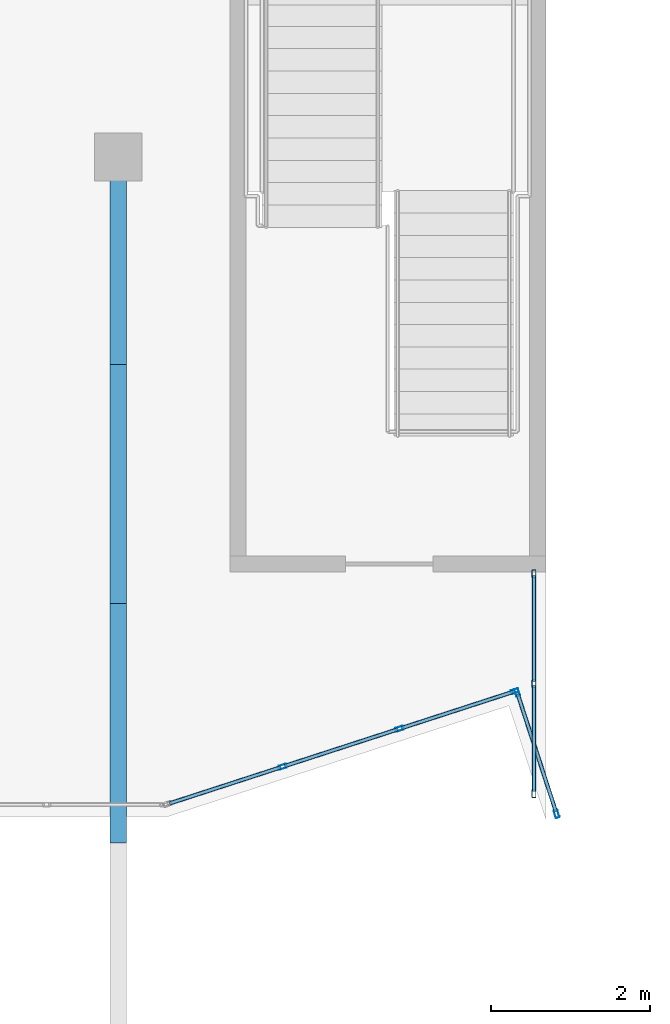
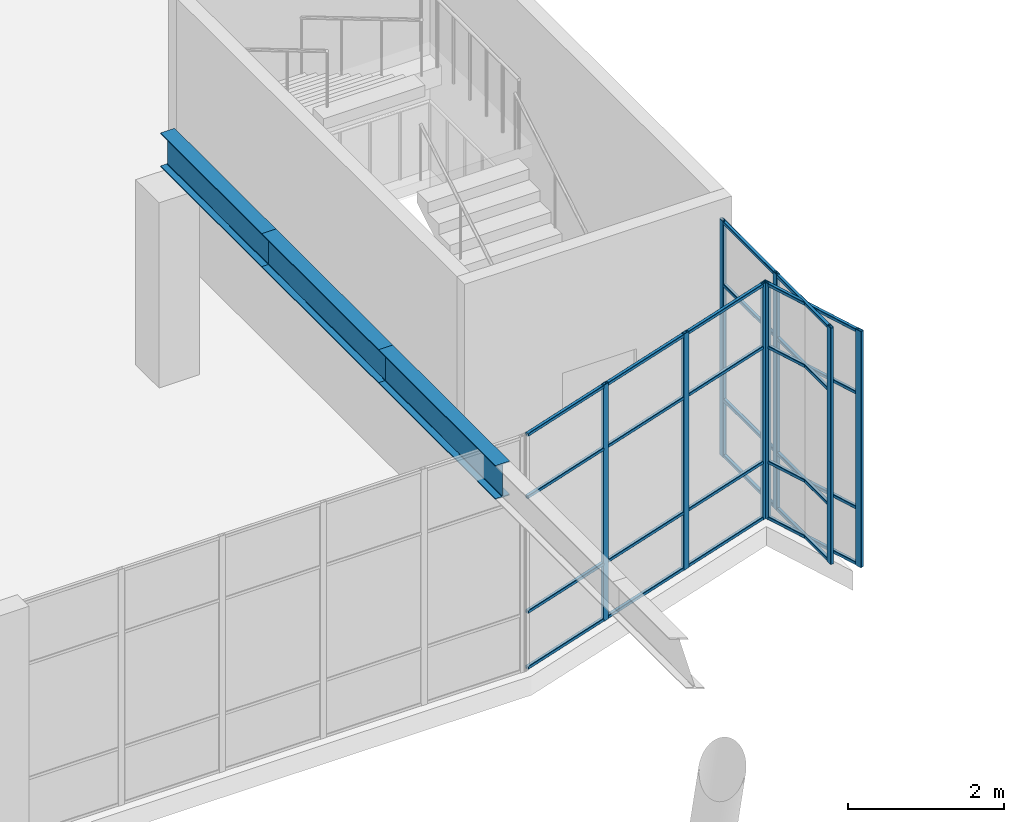
# One storey, part 9 of 65: 35 members, 3 elements without a shape of their own.
"""IFC4 building model written with IfcOpenShell, lengths in metres."""

from ifc_helpers import new_model, si_unit, direction, frame, origin, origin_2d, place, context, subcontext, project, spatial, hollow_rectangle, i_section, extrude, material, layer, layer_set, material_profile, profile_set, type_object, element, aggregate, save


model = new_model("IFC4")

# Units and contexts
model_context = context("Model", 3, precision=1e-05, world=origin(), true_north=direction((0.0, 1.0)))
body_context = subcontext(model_context, "Body", "Model", "MODEL_VIEW")
ifc_project = project(units=[si_unit("LENGTHUNIT", "METRE"), si_unit("AREAUNIT", "SQUARE_METRE"), si_unit("VOLUMEUNIT", "CUBIC_METRE"), si_unit("PLANEANGLEUNIT", "RADIAN"), si_unit("MASSUNIT", "GRAM", prefix="KILO")], contexts=[model_context])

# Site, building, storey
site_placement = place(None, origin())
site = spatial("IfcSite", under=ifc_project, at=site_placement, CompositionType="ELEMENT")
building_placement = place(site_placement, origin())
building = spatial("IfcBuilding", under=site, at=building_placement, Name="Tuart Plaza Theatre", CompositionType="ELEMENT")
storey_placement = place(building_placement, frame((0.0, 0.0, 9.5)))
storey = spatial("IfcBuildingStorey", under=building, at=storey_placement, Name="L02", CompositionType="ELEMENT", Elevation=9.5)

# Members
ifc_material_1 = material(Name="Steel Grade 300", Category="steel")
ifc_material_profile_1 = material_profile(ifc_material_1, i_section(OverallWidth=0.208984375, OverallDepth=0.532958984375, WebThickness=0.01025390625, FlangeThickness=0.015625, FilletRadius=0.013916015625, at=origin_2d()), Name="530UB92.4")
ifc_profile_set_1 = profile_set([ifc_material_profile_1], Name="Steel Grade 300")
member_type_1 = type_object("IfcMemberType", Name="BELT TRUSS Chord 530UB92.4", PredefinedType="CHORD", material=ifc_profile_set_1)
for number, where, z_axis, x_axis, name in (
    (1, (105.0, 41.0, 3.47998046875), (0.0, 1.0, 0.0), (-1.0, 0.0, 0.0), "CH57"),
    (2, (105.0, 44.0, 3.47998046875), (0.0, 1.0, 0.0), (-1.0, 0.0, 0.0), "CH58"),
):
    element("IfcMember", number, at=place(storey_placement, frame(where, z_axis=z_axis, x_axis=x_axis)), inside=storey, type_object=member_type_1, Name=name, PredefinedType="CHORD", context=body_context, shape_type="SweptSolid", body=[
        extrude(i_section(OverallWidth=0.208984375, OverallDepth=0.532958984375, WebThickness=0.01025390625, FlangeThickness=0.015625, FilletRadius=0.013916015625, at=origin_2d()), origin(), (0.0, 0.0, 1.0), 3.0),
    ])
member_1_placement = place(storey_placement, frame((105.0, 47.0, 3.47998046875), z_axis=(0.0, 1.0, 0.0), x_axis=(-1.0, 0.0, 0.0)))
element("IfcMember", 3, at=member_1_placement, inside=storey, type_object=member_type_1, Name="CH59", PredefinedType="CHORD", context=body_context, shape_type="SweptSolid", body=[
    extrude(i_section(OverallWidth=0.208984375, OverallDepth=0.532958984375, WebThickness=0.01025390625, FlangeThickness=0.015625, FilletRadius=0.013916015625, at=origin_2d()), origin(), (0.0, 0.0, 1.0), 2.60009765625),
])

# Curtain wall, members
ifc_material_2 = material(Name="Aluminium and glass", Category="aluminium")
ifc_layer = layer(ifc_material_2, 0.10009765625)
ifc_layer_set = layer_set([ifc_layer], Name="CURTAIN WALL 1500 module")
curtain_wall_type = type_object("IfcCurtainWallType", Name="CURTAIN WALL 1500 module", PredefinedType="NOTDEFINED", material=ifc_layer_set)
curtain_wall_1_placement = place(storey_placement, origin())
curtain_wall_1 = element("IfcCurtainWall", 4, at=curtain_wall_1_placement, inside=storey, type_object=curtain_wall_type, Name="CW31", PredefinedType="NOTDEFINED")
ifc_material_3 = material(Name="Aluminium 6063-T5", Category="aluminium")
ifc_material_profile_2 = material_profile(ifc_material_3, hollow_rectangle(XDim=0.050048828125, YDim=0.10009765625, WallThickness=0.00390625, InnerFilletRadius=0.00390625, OuterFilletRadius=0.008056640625, at=origin_2d()), Name="RHS 100x50x4")
ifc_profile_set_2 = profile_set([ifc_material_profile_2], Name="Aluminium 6063-T5")
member_type_2 = type_object("IfcMemberType", Name="MULLION RHS 100x50x4", PredefinedType="MULLION", material=ifc_profile_set_2)
member_2_placement = place(storey_placement, frame((107.06298828125, 41.955322265625, 0.0), z_axis=(0.0, 0.0, 1.0), x_axis=(-0.308885075459, 0.951099369235, 0.0)))
member_2 = element("IfcMember", 5, at=member_2_placement, type_object=member_type_2, Name="CW31 mullion 2", PredefinedType="MULLION", context=body_context, shape_type="SweptSolid", body=[
    extrude(hollow_rectangle(XDim=0.050048828125, YDim=0.10009765625, WallThickness=0.00390625, InnerFilletRadius=0.00390625, OuterFilletRadius=0.008056640625, at=origin_2d()), origin(), (0.0, 0.0, 1.0), 3.699951171875),
])
member_3_placement = place(storey_placement, frame((108.529541015625, 42.431640625, 0.0), z_axis=(0.0, 0.0, 1.0), x_axis=(-0.308885075459, 0.951099369235, 0.0)))
member_3 = element("IfcMember", 6, at=member_3_placement, type_object=member_type_2, Name="CW31 mullion 3", PredefinedType="MULLION", context=body_context, shape_type="SweptSolid", body=[
    extrude(hollow_rectangle(XDim=0.050048828125, YDim=0.10009765625, WallThickness=0.00390625, InnerFilletRadius=0.00390625, OuterFilletRadius=0.008056640625, at=origin_2d()), origin(), (0.0, 0.0, 1.0), 3.699951171875),
])
member_4_placement = place(storey_placement, frame((109.97265625, 42.900390625, 0.0), z_axis=(0.0, 0.0, 1.0), x_axis=(-0.308885075459, 0.951099369235, 0.0)))
member_4 = element("IfcMember", 7, at=member_4_placement, type_object=member_type_2, Name="CW31 mullion 4", PredefinedType="MULLION", context=body_context, shape_type="SweptSolid", body=[
    extrude(hollow_rectangle(XDim=0.050048828125, YDim=0.10009765625, WallThickness=0.00390625, InnerFilletRadius=0.00390625, OuterFilletRadius=0.008056640625, at=origin_2d()), origin(), (0.0, 0.0, 1.0), 3.699951171875),
])

curtain_wall_2_placement = place(storey_placement, origin())
curtain_wall_2 = element("IfcCurtainWall", 8, at=curtain_wall_2_placement, inside=storey, type_object=curtain_wall_type, Name="CW32", PredefinedType="NOTDEFINED")
member_5_placement = place(storey_placement, frame((110.004150390625, 42.88427734375, 0.0), z_axis=(0.0, 0.0, 1.0), x_axis=(0.951122257572, 0.30881459025, 0.0)))
member_5 = element("IfcMember", 9, at=member_5_placement, type_object=member_type_2, Name="CW32 mullion 1", PredefinedType="MULLION", context=body_context, shape_type="SweptSolid", body=[
    extrude(hollow_rectangle(XDim=0.050048828125, YDim=0.10009765625, WallThickness=0.00390625, InnerFilletRadius=0.00390625, OuterFilletRadius=0.008056640625, at=origin_2d()), origin(), (0.0, 0.0, 1.0), 3.699951171875),
])
member_6_placement = place(storey_placement, frame((110.498046875, 41.363037109375, 0.0), z_axis=(0.0, 0.0, 1.0), x_axis=(0.951122257572, 0.30881459025, 0.0)))
member_6 = element("IfcMember", 10, at=member_6_placement, type_object=member_type_2, Name="CW32 mullion 2", PredefinedType="MULLION", context=body_context, shape_type="SweptSolid", body=[
    extrude(hollow_rectangle(XDim=0.050048828125, YDim=0.10009765625, WallThickness=0.00390625, InnerFilletRadius=0.00390625, OuterFilletRadius=0.008056640625, at=origin_2d()), origin(), (0.0, 0.0, 1.0), 3.699951171875),
])

curtain_wall_3_placement = place(storey_placement, origin())
curtain_wall_3 = element("IfcCurtainWall", 11, at=curtain_wall_3_placement, inside=storey, type_object=curtain_wall_type, Name="CW33", PredefinedType="NOTDEFINED")
member_7_placement = place(storey_placement, frame((110.212890625, 41.617919921875, 0.0), z_axis=(0.0, 0.0, 1.0), x_axis=(-1.0, 0.0, 0.0)))
member_7 = element("IfcMember", 12, at=member_7_placement, type_object=member_type_2, Name="CW33 mullion 1", PredefinedType="MULLION", context=body_context, shape_type="SweptSolid", body=[
    extrude(hollow_rectangle(XDim=0.050048828125, YDim=0.10009765625, WallThickness=0.00390625, InnerFilletRadius=0.00390625, OuterFilletRadius=0.008056640625, at=origin_2d()), origin(), (0.0, 0.0, 1.0), 3.699951171875),
])
member_8_placement = place(storey_placement, frame((110.212890625, 42.99658203125, 0.0), z_axis=(0.0, 0.0, 1.0), x_axis=(-1.0, 0.0, 0.0)))
member_8 = element("IfcMember", 13, at=member_8_placement, type_object=member_type_2, Name="CW33 mullion 2", PredefinedType="MULLION", context=body_context, shape_type="SweptSolid", body=[
    extrude(hollow_rectangle(XDim=0.050048828125, YDim=0.10009765625, WallThickness=0.00390625, InnerFilletRadius=0.00390625, OuterFilletRadius=0.008056640625, at=origin_2d()), origin(), (0.0, 0.0, 1.0), 3.699951171875),
])
member_9_placement = place(storey_placement, frame((110.212890625, 44.375, 0.0), z_axis=(0.0, 0.0, 1.0), x_axis=(-1.0, 0.0, 0.0)))
member_9 = element("IfcMember", 14, at=member_9_placement, type_object=member_type_2, Name="CW33 mullion 3", PredefinedType="MULLION", context=body_context, shape_type="SweptSolid", body=[
    extrude(hollow_rectangle(XDim=0.050048828125, YDim=0.10009765625, WallThickness=0.00390625, InnerFilletRadius=0.00390625, OuterFilletRadius=0.008056640625, at=origin_2d()), origin(), (0.0, 0.0, 1.0), 3.699951171875),
])

# Member
ifc_material_4 = material(Name="Aluminium 6063-T5", Category="aluminium")
ifc_material_profile_3 = material_profile(ifc_material_4, hollow_rectangle(XDim=0.050048828125, YDim=0.050048828125, WallThickness=0.00390625, InnerFilletRadius=0.00390625, OuterFilletRadius=0.008056640625, at=origin_2d()), Name="RHS 50x50x4")
ifc_profile_set_3 = profile_set([ifc_material_profile_3], Name="Aluminium 6063-T5")
member_type_3 = type_object("IfcMemberType", Name="TRANSOM RHS 50x50x4", PredefinedType="USERDEFINED", material=ifc_profile_set_3)
member_10_placement = place(storey_placement, frame((105.643798828125, 41.494384765625, 0.02490234375), z_axis=(0.951101311149, 0.308879095974, 0.0), x_axis=(-0.308879095974, 0.951101311149, 0.0)))
member_10 = element("IfcMember", 15, at=member_10_placement, type_object=member_type_3, Name="CW31 transom 1.1", ObjectType="TRANSOM", PredefinedType="USERDEFINED", context=body_context, shape_type="SweptSolid", body=[
    extrude(hollow_rectangle(XDim=0.050048828125, YDim=0.050048828125, WallThickness=0.00390625, InnerFilletRadius=0.00390625, OuterFilletRadius=0.008056640625, at=origin_2d()), origin(), (0.0, 0.0, 1.0), 1.467041015625),
])

member_11_placement = place(storey_placement, frame((105.643798828125, 41.494384765625, 0.89990234375), z_axis=(0.951101311149, 0.308879095974, 0.0), x_axis=(-0.308879095974, 0.951101311149, 0.0)))
member_11 = element("IfcMember", 16, at=member_11_placement, type_object=member_type_3, Name="CW31 transom 1.2", ObjectType="TRANSOM", PredefinedType="USERDEFINED", context=body_context, shape_type="SweptSolid", body=[
    extrude(hollow_rectangle(XDim=0.050048828125, YDim=0.050048828125, WallThickness=0.00390625, InnerFilletRadius=0.00390625, OuterFilletRadius=0.008056640625, at=origin_2d()), origin(), (0.0, 0.0, 1.0), 1.467041015625),
])

member_12_placement = place(storey_placement, frame((105.643798828125, 41.494384765625, 2.699951171875), z_axis=(0.951101311149, 0.308879095974, 0.0), x_axis=(-0.308879095974, 0.951101311149, 0.0)))
member_12 = element("IfcMember", 17, at=member_12_placement, type_object=member_type_3, Name="CW31 transom 1.3", ObjectType="TRANSOM", PredefinedType="USERDEFINED", context=body_context, shape_type="SweptSolid", body=[
    extrude(hollow_rectangle(XDim=0.050048828125, YDim=0.050048828125, WallThickness=0.00390625, InnerFilletRadius=0.00390625, OuterFilletRadius=0.008056640625, at=origin_2d()), origin(), (0.0, 0.0, 1.0), 1.467041015625),
])

member_13_placement = place(storey_placement, frame((105.643798828125, 41.494384765625, 3.675048828125), z_axis=(0.951101311149, 0.308879095974, 0.0), x_axis=(-0.308879095974, 0.951101311149, 0.0)))
member_13 = element("IfcMember", 18, at=member_13_placement, type_object=member_type_3, Name="CW31 transom 1.4", ObjectType="TRANSOM", PredefinedType="USERDEFINED", context=body_context, shape_type="SweptSolid", body=[
    extrude(hollow_rectangle(XDim=0.050048828125, YDim=0.050048828125, WallThickness=0.00390625, InnerFilletRadius=0.00390625, OuterFilletRadius=0.008056640625, at=origin_2d()), origin(), (0.0, 0.0, 1.0), 1.467041015625),
])

member_14_placement = place(storey_placement, frame((107.086669921875, 41.963134765625, 0.02490234375), z_axis=(0.951141028073, 0.308756772746, 0.0), x_axis=(-0.308756772746, 0.951141028073, 0.0)))
member_14 = element("IfcMember", 19, at=member_14_placement, type_object=member_type_3, Name="CW31 transom 2.1", ObjectType="TRANSOM", PredefinedType="USERDEFINED", context=body_context, shape_type="SweptSolid", body=[
    extrude(hollow_rectangle(XDim=0.050048828125, YDim=0.050048828125, WallThickness=0.00390625, InnerFilletRadius=0.00390625, OuterFilletRadius=0.008056640625, at=origin_2d()), origin(), (0.0, 0.0, 1.0), 1.4921875),
])

member_15_placement = place(storey_placement, frame((107.086669921875, 41.963134765625, 0.89990234375), z_axis=(0.951141028073, 0.308756772746, 0.0), x_axis=(-0.308756772746, 0.951141028073, 0.0)))
member_15 = element("IfcMember", 20, at=member_15_placement, type_object=member_type_3, Name="CW31 transom 2.2", ObjectType="TRANSOM", PredefinedType="USERDEFINED", context=body_context, shape_type="SweptSolid", body=[
    extrude(hollow_rectangle(XDim=0.050048828125, YDim=0.050048828125, WallThickness=0.00390625, InnerFilletRadius=0.00390625, OuterFilletRadius=0.008056640625, at=origin_2d()), origin(), (0.0, 0.0, 1.0), 1.4921875),
])

member_16_placement = place(storey_placement, frame((107.086669921875, 41.963134765625, 2.699951171875), z_axis=(0.951141028073, 0.308756772746, 0.0), x_axis=(-0.308756772746, 0.951141028073, 0.0)))
member_16 = element("IfcMember", 21, at=member_16_placement, type_object=member_type_3, Name="CW31 transom 2.3", ObjectType="TRANSOM", PredefinedType="USERDEFINED", context=body_context, shape_type="SweptSolid", body=[
    extrude(hollow_rectangle(XDim=0.050048828125, YDim=0.050048828125, WallThickness=0.00390625, InnerFilletRadius=0.00390625, OuterFilletRadius=0.008056640625, at=origin_2d()), origin(), (0.0, 0.0, 1.0), 1.4921875),
])

member_17_placement = place(storey_placement, frame((107.086669921875, 41.963134765625, 3.675048828125), z_axis=(0.951141028073, 0.308756772746, 0.0), x_axis=(-0.308756772746, 0.951141028073, 0.0)))
member_17 = element("IfcMember", 22, at=member_17_placement, type_object=member_type_3, Name="CW31 transom 2.4", ObjectType="TRANSOM", PredefinedType="USERDEFINED", context=body_context, shape_type="SweptSolid", body=[
    extrude(hollow_rectangle(XDim=0.050048828125, YDim=0.050048828125, WallThickness=0.00390625, InnerFilletRadius=0.00390625, OuterFilletRadius=0.008056640625, at=origin_2d()), origin(), (0.0, 0.0, 1.0), 1.4921875),
])

member_18_placement = place(storey_placement, frame((108.553466796875, 42.439453125, 0.02490234375), z_axis=(0.951101311149, 0.308879095974, 0.0), x_axis=(-0.308879095974, 0.951101311149, 0.0)))
member_18 = element("IfcMember", 23, at=member_18_placement, type_object=member_type_3, Name="CW31 transom 3.1", ObjectType="TRANSOM", PredefinedType="USERDEFINED", context=body_context, shape_type="SweptSolid", body=[
    extrude(hollow_rectangle(XDim=0.050048828125, YDim=0.050048828125, WallThickness=0.00390625, InnerFilletRadius=0.00390625, OuterFilletRadius=0.008056640625, at=origin_2d()), origin(), (0.0, 0.0, 1.0), 1.467041015625),
])

member_19_placement = place(storey_placement, frame((108.553466796875, 42.439453125, 0.89990234375), z_axis=(0.951101311149, 0.308879095974, 0.0), x_axis=(-0.308879095974, 0.951101311149, 0.0)))
member_19 = element("IfcMember", 24, at=member_19_placement, type_object=member_type_3, Name="CW31 transom 3.2", ObjectType="TRANSOM", PredefinedType="USERDEFINED", context=body_context, shape_type="SweptSolid", body=[
    extrude(hollow_rectangle(XDim=0.050048828125, YDim=0.050048828125, WallThickness=0.00390625, InnerFilletRadius=0.00390625, OuterFilletRadius=0.008056640625, at=origin_2d()), origin(), (0.0, 0.0, 1.0), 1.467041015625),
])

member_20_placement = place(storey_placement, frame((108.553466796875, 42.439453125, 2.699951171875), z_axis=(0.951101311149, 0.308879095974, 0.0), x_axis=(-0.308879095974, 0.951101311149, 0.0)))
member_20 = element("IfcMember", 25, at=member_20_placement, type_object=member_type_3, Name="CW31 transom 3.3", ObjectType="TRANSOM", PredefinedType="USERDEFINED", context=body_context, shape_type="SweptSolid", body=[
    extrude(hollow_rectangle(XDim=0.050048828125, YDim=0.050048828125, WallThickness=0.00390625, InnerFilletRadius=0.00390625, OuterFilletRadius=0.008056640625, at=origin_2d()), origin(), (0.0, 0.0, 1.0), 1.467041015625),
])

member_21_placement = place(storey_placement, frame((108.553466796875, 42.439453125, 3.675048828125), z_axis=(0.951101311149, 0.308879095974, 0.0), x_axis=(-0.308879095974, 0.951101311149, 0.0)))
member_21 = element("IfcMember", 26, at=member_21_placement, type_object=member_type_3, Name="CW31 transom 3.4", ObjectType="TRANSOM", PredefinedType="USERDEFINED", context=body_context, shape_type="SweptSolid", body=[
    extrude(hollow_rectangle(XDim=0.050048828125, YDim=0.050048828125, WallThickness=0.00390625, InnerFilletRadius=0.00390625, OuterFilletRadius=0.008056640625, at=origin_2d()), origin(), (0.0, 0.0, 1.0), 1.467041015625),
])

aggregate(curtain_wall_1, [member_2, member_3, member_4, member_10, member_11, member_12, member_13, member_14, member_15, member_16, member_17, member_18, member_19, member_20, member_21])

member_22_placement = place(storey_placement, frame((110.01171875, 42.8603515625, 0.02490234375), z_axis=(0.308890071797, -0.951097746578, 0.0), x_axis=(0.951097746578, 0.308890071797, 0.0)))
member_22 = element("IfcMember", 27, at=member_22_placement, type_object=member_type_3, Name="CW32 transom 1.1", ObjectType="TRANSOM", PredefinedType="USERDEFINED", context=body_context, shape_type="SweptSolid", body=[
    extrude(hollow_rectangle(XDim=0.050048828125, YDim=0.050048828125, WallThickness=0.00390625, InnerFilletRadius=0.00390625, OuterFilletRadius=0.008056640625, at=origin_2d()), origin(), (0.0, 0.0, 1.0), 1.549072265625),
])

member_23_placement = place(storey_placement, frame((110.01171875, 42.8603515625, 0.89990234375), z_axis=(0.308890071797, -0.951097746578, 0.0), x_axis=(0.951097746578, 0.308890071797, 0.0)))
member_23 = element("IfcMember", 28, at=member_23_placement, type_object=member_type_3, Name="CW32 transom 1.2", ObjectType="TRANSOM", PredefinedType="USERDEFINED", context=body_context, shape_type="SweptSolid", body=[
    extrude(hollow_rectangle(XDim=0.050048828125, YDim=0.050048828125, WallThickness=0.00390625, InnerFilletRadius=0.00390625, OuterFilletRadius=0.008056640625, at=origin_2d()), origin(), (0.0, 0.0, 1.0), 1.549072265625),
])

member_24_placement = place(storey_placement, frame((110.01171875, 42.8603515625, 2.699951171875), z_axis=(0.308890071797, -0.951097746578, 0.0), x_axis=(0.951097746578, 0.308890071797, 0.0)))
member_24 = element("IfcMember", 29, at=member_24_placement, type_object=member_type_3, Name="CW32 transom 1.3", ObjectType="TRANSOM", PredefinedType="USERDEFINED", context=body_context, shape_type="SweptSolid", body=[
    extrude(hollow_rectangle(XDim=0.050048828125, YDim=0.050048828125, WallThickness=0.00390625, InnerFilletRadius=0.00390625, OuterFilletRadius=0.008056640625, at=origin_2d()), origin(), (0.0, 0.0, 1.0), 1.549072265625),
])

member_25_placement = place(storey_placement, frame((110.01171875, 42.8603515625, 3.675048828125), z_axis=(0.308890071797, -0.951097746578, 0.0), x_axis=(0.951097746578, 0.308890071797, 0.0)))
member_25 = element("IfcMember", 30, at=member_25_placement, type_object=member_type_3, Name="CW32 transom 1.4", ObjectType="TRANSOM", PredefinedType="USERDEFINED", context=body_context, shape_type="SweptSolid", body=[
    extrude(hollow_rectangle(XDim=0.050048828125, YDim=0.050048828125, WallThickness=0.00390625, InnerFilletRadius=0.00390625, OuterFilletRadius=0.008056640625, at=origin_2d()), origin(), (0.0, 0.0, 1.0), 1.549072265625),
])

aggregate(curtain_wall_2, [member_5, member_6, member_22, member_23, member_24, member_25])

member_26_placement = place(storey_placement, frame((110.212890625, 41.64306640625, 0.02490234375), z_axis=(0.0, 1.0, 0.0), x_axis=(-1.0, 0.0, 0.0)))
member_26 = element("IfcMember", 31, at=member_26_placement, type_object=member_type_3, Name="CW33 transom 1.1", ObjectType="TRANSOM", PredefinedType="USERDEFINED", context=body_context, shape_type="SweptSolid", body=[
    extrude(hollow_rectangle(XDim=0.050048828125, YDim=0.050048828125, WallThickness=0.00390625, InnerFilletRadius=0.00390625, OuterFilletRadius=0.008056640625, at=origin_2d()), origin(), (0.0, 0.0, 1.0), 1.328369140625),
])

member_27_placement = place(storey_placement, frame((110.212890625, 41.64306640625, 0.89990234375), z_axis=(0.0, 1.0, 0.0), x_axis=(-1.0, 0.0, 0.0)))
member_27 = element("IfcMember", 32, at=member_27_placement, type_object=member_type_3, Name="CW33 transom 1.2", ObjectType="TRANSOM", PredefinedType="USERDEFINED", context=body_context, shape_type="SweptSolid", body=[
    extrude(hollow_rectangle(XDim=0.050048828125, YDim=0.050048828125, WallThickness=0.00390625, InnerFilletRadius=0.00390625, OuterFilletRadius=0.008056640625, at=origin_2d()), origin(), (0.0, 0.0, 1.0), 1.328369140625),
])

member_28_placement = place(storey_placement, frame((110.212890625, 41.64306640625, 2.699951171875), z_axis=(0.0, 1.0, 0.0), x_axis=(-1.0, 0.0, 0.0)))
member_28 = element("IfcMember", 33, at=member_28_placement, type_object=member_type_3, Name="CW33 transom 1.3", ObjectType="TRANSOM", PredefinedType="USERDEFINED", context=body_context, shape_type="SweptSolid", body=[
    extrude(hollow_rectangle(XDim=0.050048828125, YDim=0.050048828125, WallThickness=0.00390625, InnerFilletRadius=0.00390625, OuterFilletRadius=0.008056640625, at=origin_2d()), origin(), (0.0, 0.0, 1.0), 1.328369140625),
])

member_29_placement = place(storey_placement, frame((110.212890625, 41.64306640625, 3.675048828125), z_axis=(0.0, 1.0, 0.0), x_axis=(-1.0, 0.0, 0.0)))
member_29 = element("IfcMember", 34, at=member_29_placement, type_object=member_type_3, Name="CW33 transom 1.4", ObjectType="TRANSOM", PredefinedType="USERDEFINED", context=body_context, shape_type="SweptSolid", body=[
    extrude(hollow_rectangle(XDim=0.050048828125, YDim=0.050048828125, WallThickness=0.00390625, InnerFilletRadius=0.00390625, OuterFilletRadius=0.008056640625, at=origin_2d()), origin(), (0.0, 0.0, 1.0), 1.328369140625),
])

member_30_placement = place(storey_placement, frame((110.212890625, 43.021484375, 0.02490234375), z_axis=(0.0, 1.0, 0.0), x_axis=(-1.0, 0.0, 0.0)))
member_30 = element("IfcMember", 35, at=member_30_placement, type_object=member_type_3, Name="CW33 transom 2.1", ObjectType="TRANSOM", PredefinedType="USERDEFINED", context=body_context, shape_type="SweptSolid", body=[
    extrude(hollow_rectangle(XDim=0.050048828125, YDim=0.050048828125, WallThickness=0.00390625, InnerFilletRadius=0.00390625, OuterFilletRadius=0.008056640625, at=origin_2d()), origin(), (0.0, 0.0, 1.0), 1.32861328125),
])

member_31_placement = place(storey_placement, frame((110.212890625, 43.021484375, 0.89990234375), z_axis=(0.0, 1.0, 0.0), x_axis=(-1.0, 0.0, 0.0)))
member_31 = element("IfcMember", 36, at=member_31_placement, type_object=member_type_3, Name="CW33 transom 2.2", ObjectType="TRANSOM", PredefinedType="USERDEFINED", context=body_context, shape_type="SweptSolid", body=[
    extrude(hollow_rectangle(XDim=0.050048828125, YDim=0.050048828125, WallThickness=0.00390625, InnerFilletRadius=0.00390625, OuterFilletRadius=0.008056640625, at=origin_2d()), origin(), (0.0, 0.0, 1.0), 1.32861328125),
])

member_32_placement = place(storey_placement, frame((110.212890625, 43.021484375, 2.699951171875), z_axis=(0.0, 1.0, 0.0), x_axis=(-1.0, 0.0, 0.0)))
member_32 = element("IfcMember", 37, at=member_32_placement, type_object=member_type_3, Name="CW33 transom 2.3", ObjectType="TRANSOM", PredefinedType="USERDEFINED", context=body_context, shape_type="SweptSolid", body=[
    extrude(hollow_rectangle(XDim=0.050048828125, YDim=0.050048828125, WallThickness=0.00390625, InnerFilletRadius=0.00390625, OuterFilletRadius=0.008056640625, at=origin_2d()), origin(), (0.0, 0.0, 1.0), 1.32861328125),
])

member_33_placement = place(storey_placement, frame((110.212890625, 43.021484375, 3.675048828125), z_axis=(0.0, 1.0, 0.0), x_axis=(-1.0, 0.0, 0.0)))
member_33 = element("IfcMember", 38, at=member_33_placement, type_object=member_type_3, Name="CW33 transom 2.4", ObjectType="TRANSOM", PredefinedType="USERDEFINED", context=body_context, shape_type="SweptSolid", body=[
    extrude(hollow_rectangle(XDim=0.050048828125, YDim=0.050048828125, WallThickness=0.00390625, InnerFilletRadius=0.00390625, OuterFilletRadius=0.008056640625, at=origin_2d()), origin(), (0.0, 0.0, 1.0), 1.32861328125),
])

aggregate(curtain_wall_3, [member_7, member_8, member_9, member_26, member_27, member_28, member_29, member_30, member_31, member_32, member_33])

save(model, "model.ifc")
